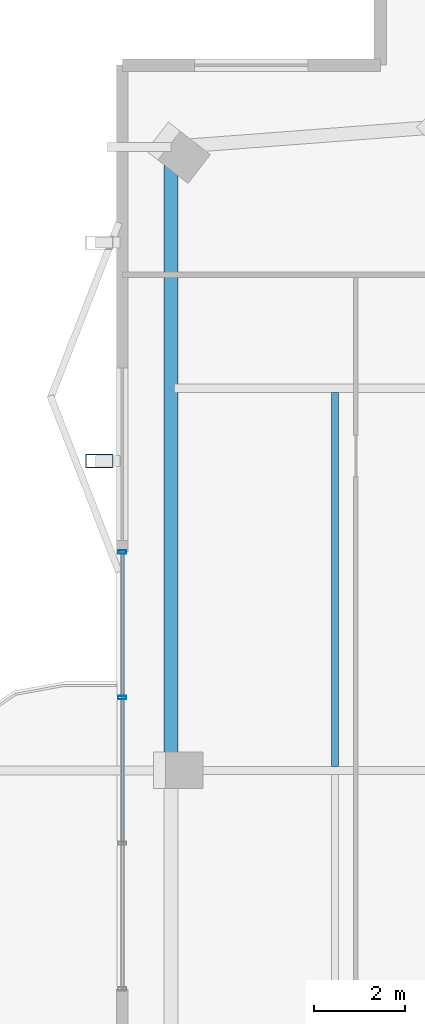
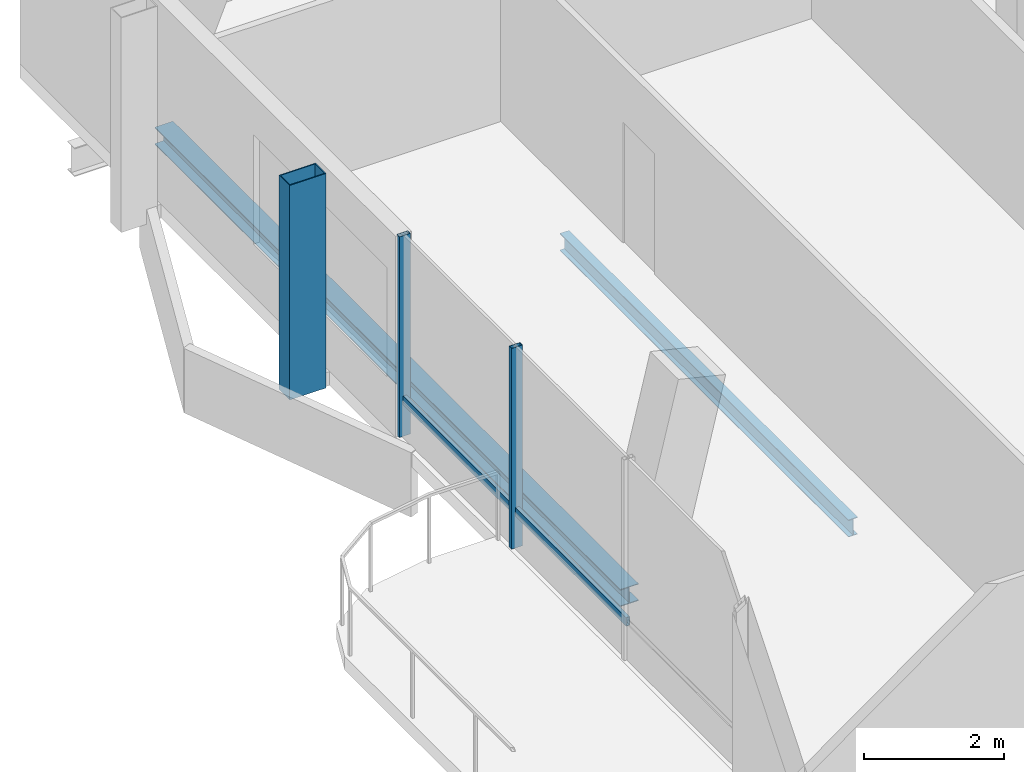
# One storey, part 7 of 20: 5 members, 2 beams, 1 element without a shape of its own.
"""IFC4 building model written with IfcOpenShell, lengths in metres."""

from ifc_helpers import new_model, si_unit, direction, frame, origin, origin_2d, place, context, subcontext, project, spatial, hollow_rectangle, i_section, extrude, material, layer, layer_set, material_profile, profile_set, type_object, element, aggregate, save


model = new_model("IFC4")

# Units and contexts
model_context = context("Model", 3, precision=1e-05, world=origin(), true_north=direction((0.0, 1.0)))
body_context = subcontext(model_context, "Body", "Model", "MODEL_VIEW")
ifc_project = project(units=[si_unit("LENGTHUNIT", "METRE"), si_unit("AREAUNIT", "SQUARE_METRE"), si_unit("VOLUMEUNIT", "CUBIC_METRE"), si_unit("PLANEANGLEUNIT", "RADIAN"), si_unit("MASSUNIT", "GRAM", prefix="KILO")], contexts=[model_context])

# Site, building, storey
site_placement = place(None, origin())
site = spatial("IfcSite", under=ifc_project, at=site_placement, CompositionType="ELEMENT")
building_placement = place(site_placement, origin())
building = spatial("IfcBuilding", under=site, at=building_placement, Name="Belovzor Exchange Tower", CompositionType="ELEMENT")
storey_placement = place(building_placement, frame((0.0, 0.0, 351.75)))
storey = spatial("IfcBuildingStorey", under=building, at=storey_placement, Name="L88", CompositionType="ELEMENT", Elevation=351.75)

# Beam
ifc_material_1 = material(Name="Steel S355", Category="steel")
ifc_material_profile_1 = material_profile(ifc_material_1, i_section(OverallWidth=0.14990234375, OverallDepth=0.300048828125, WebThickness=0.007080078125, FlangeThickness=0.0107421875, at=origin_2d()))
ifc_profile_set_1 = profile_set([ifc_material_profile_1], Name="Steel S355")
beam_type_1 = type_object("IfcBeamType", Name="Secondary Trim Floor Joist IPE 300", PredefinedType="BEAM", material=ifc_profile_set_1)
beam_1_placement = place(storey_placement, frame((12.302978515625, 28.889892578125, -0.389892578125), z_axis=(0.0, 1.0, 0.0), x_axis=(-1.0, 0.0, 0.0)))
element("IfcBeam", 1, at=beam_1_placement, inside=storey, type_object=beam_type_1, Name="FJ-300 Secondary Trim Floor Joist IPE 300", PredefinedType="BEAM", context=body_context, shape_type="SweptSolid", body=[
    extrude(i_section(OverallWidth=0.14990234375, OverallDepth=0.300048828125, WebThickness=0.007080078125, FlangeThickness=0.0107421875, at=origin_2d()), origin(), (0.0, 0.0, 1.0), 8.22021484375),
])

# Curtain wall, members
ifc_material_2 = material(Name="Anodised Aluminium Framing", Category="aluminium")
ifc_layer = layer(ifc_material_2, 0.179931640625)
ifc_layer_set = layer_set([ifc_layer], Name="Anodised Aluminium Framing")
curtain_wall_type = type_object("IfcCurtainWallType", Name="Recessed Loggia Low-Iron Triple-Glazed Curtain Wall", PredefinedType="NOTDEFINED", material=ifc_layer_set)
curtain_wall_placement = place(storey_placement, origin())
curtain_wall = element("IfcCurtainWall", 2, at=curtain_wall_placement, inside=storey, type_object=curtain_wall_type, Name="CW3 Recessed Loggia Low-Iron Triple-Glazed Curtain Wall L88", PredefinedType="NOTDEFINED")
ifc_material_3 = material(Name="Steel S355", Category="steel")
ifc_material_profile_2 = material_profile(ifc_material_3, hollow_rectangle(XDim=0.074951171875, YDim=0.179931640625, WallThickness=0.0048828125, at=origin_2d()))
ifc_profile_set_2 = profile_set([ifc_material_profile_2], Name="Steel S355")
member_type_1 = type_object("IfcMemberType", Name="Thermally Broken Curtain Wall Mullion 180x75", PredefinedType="MULLION", material=ifc_profile_set_2)
member_1_placement = place(storey_placement, frame((7.6298828125, 30.39990234375, 0.0), z_axis=(0.0, 0.0, 1.0), x_axis=(0.0, 1.0, 0.0)))
member_1 = element("IfcMember", 3, at=member_1_placement, type_object=member_type_1, Name="CW-M180 Curtain Wall Mullion 3", PredefinedType="MULLION", context=body_context, shape_type="SweptSolid", body=[
    extrude(hollow_rectangle(XDim=0.074951171875, YDim=0.179931640625, WallThickness=0.0048828125, at=origin_2d()), origin(), (0.0, 0.0, 1.0), 3.489990234375),
])
member_2_placement = place(storey_placement, frame((7.6298828125, 33.60009765625, 0.0), z_axis=(0.0, 0.0, 1.0), x_axis=(0.0, 1.0, 0.0)))
member_2 = element("IfcMember", 4, at=member_2_placement, type_object=member_type_1, Name="CW-M180 Curtain Wall Mullion 4", PredefinedType="MULLION", context=body_context, shape_type="SweptSolid", body=[
    extrude(hollow_rectangle(XDim=0.074951171875, YDim=0.179931640625, WallThickness=0.0048828125, at=origin_2d()), origin(), (0.0, 0.0, 1.0), 3.489990234375),
])
ifc_material_4 = material(Name="Steel S355", Category="steel")
ifc_material_profile_3 = material_profile(ifc_material_4, hollow_rectangle(XDim=0.06005859375, YDim=0.14990234375, WallThickness=0.00390625, at=origin_2d()))
ifc_profile_set_3 = profile_set([ifc_material_profile_3], Name="Steel S355")
member_type_2 = type_object("IfcMemberType", Name="Thermally Broken Curtain Wall Transom 150x60", PredefinedType="USERDEFINED", material=ifc_profile_set_3)
member_3_placement = place(storey_placement, frame((7.6298828125, 27.2080078125, 0.6279296875), z_axis=(0.0, 1.0, 0.0), x_axis=(-1.0, 0.0, 0.0)))
member_3 = element("IfcMember", 5, at=member_3_placement, type_object=member_type_2, Name="CW-T150 Curtain Wall Transom 2", ObjectType="TRANSOM", PredefinedType="USERDEFINED", context=body_context, shape_type="SweptSolid", body=[
    extrude(hollow_rectangle(XDim=0.06005859375, YDim=0.14990234375, WallThickness=0.00390625, at=origin_2d()), origin(), (0.0, 0.0, 1.0), 3.18408203125),
])
member_4_placement = place(storey_placement, frame((7.6298828125, 30.407958984375, 0.6279296875), z_axis=(0.0, 1.0, 0.0), x_axis=(-1.0, 0.0, 0.0)))
member_4 = element("IfcMember", 6, at=member_4_placement, type_object=member_type_2, Name="CW-T150 Curtain Wall Transom 3", ObjectType="TRANSOM", PredefinedType="USERDEFINED", context=body_context, shape_type="SweptSolid", body=[
    extrude(hollow_rectangle(XDim=0.06005859375, YDim=0.14990234375, WallThickness=0.00390625, at=origin_2d()), origin(), (0.0, 0.0, 1.0), 3.18408203125),
])
aggregate(curtain_wall, [member_1, member_2, member_3, member_4])

# Member
ifc_material_5 = material(Name="Extruded Architectural Terracotta on Steel S355 Carrier", Category="masonry")
ifc_material_profile_4 = material_profile(ifc_material_5, hollow_rectangle(XDim=0.300048828125, YDim=0.60009765625, WallThickness=0.01611328125, at=origin_2d()))
ifc_profile_set_4 = profile_set([ifc_material_profile_4], Name="Extruded Architectural Terracotta on Steel S355 Carrier")
member_type_3 = type_object("IfcMemberType", Name="Upper Crown Terracotta Fin Assembly 550", PredefinedType="USERDEFINED", material=ifc_profile_set_4)
member_5_placement = place(storey_placement, frame((7.125, 35.60009765625, -0.239990234375), z_axis=(0.0, 0.0, 1.0), x_axis=(0.0, 1.0, 0.0)))
element("IfcMember", 7, at=member_5_placement, inside=storey, type_object=member_type_3, Name="FIN-TC055 Terracotta Facade Fin L88 W3", ObjectType="FIN", PredefinedType="USERDEFINED", context=body_context, shape_type="SweptSolid", body=[
    extrude(hollow_rectangle(XDim=0.300048828125, YDim=0.60009765625, WallThickness=0.01611328125, at=origin_2d()), origin(), (0.0, 0.0, 1.0), 3.72998046875),
])

# Beam
ifc_material_6 = material(Name="Steel S355", Category="steel")
ifc_material_profile_5 = material_profile(ifc_material_6, i_section(OverallWidth=0.300048828125, OverallDepth=0.300048828125, WebThickness=0.008544921875, FlangeThickness=0.013916015625, at=origin_2d()))
ifc_profile_set_5 = profile_set([ifc_material_profile_5], Name="Steel S355")
beam_type_2 = type_object("IfcBeamType", Name="Zone 6 Primary Girder HEA 300", PredefinedType="BEAM", material=ifc_profile_set_5)
beam_2_placement = place(storey_placement, frame((8.699951171875, 42.280029296875, -0.389892578125), z_axis=(0.0, -1.0, 0.0), x_axis=(1.0, 0.0, 0.0)))
element("IfcBeam", 8, at=beam_2_placement, inside=storey, type_object=beam_type_2, Name="FG-Z6 Zone 6 Primary Girder HEA 300", PredefinedType="BEAM", context=body_context, shape_type="SweptSolid", body=[
    extrude(i_section(OverallWidth=0.300048828125, OverallDepth=0.300048828125, WebThickness=0.008544921875, FlangeThickness=0.013916015625, at=origin_2d()), origin(), (0.0, 0.0, 1.0), 13.260009765625),
])

save(model, "model.ifc")
